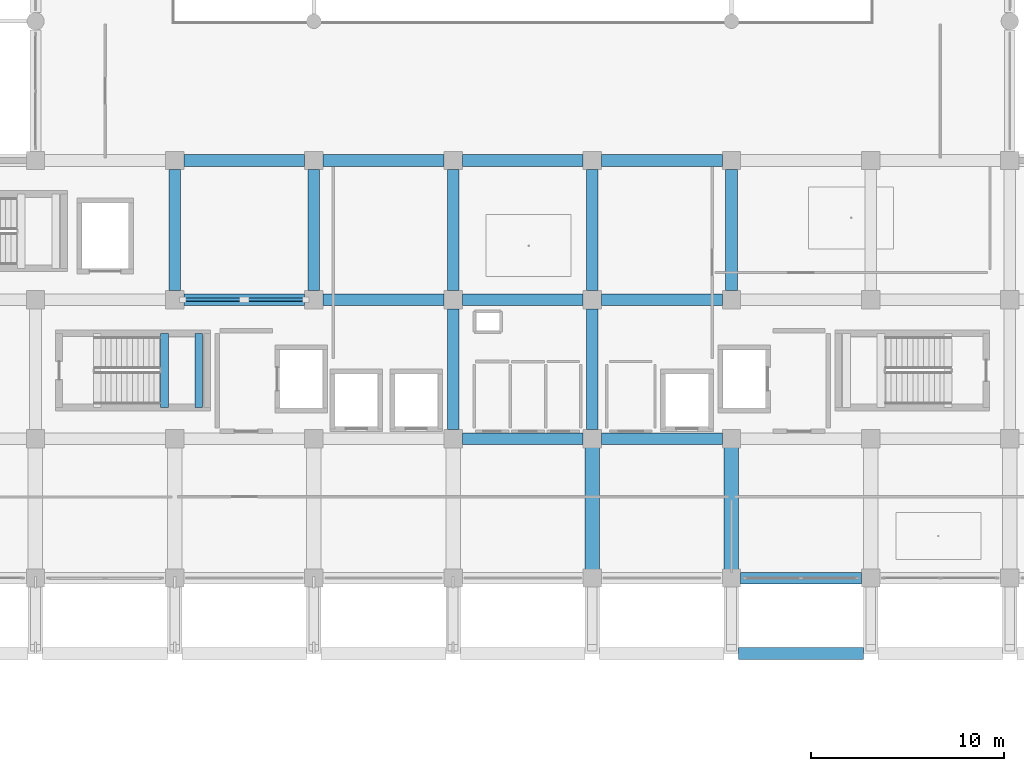
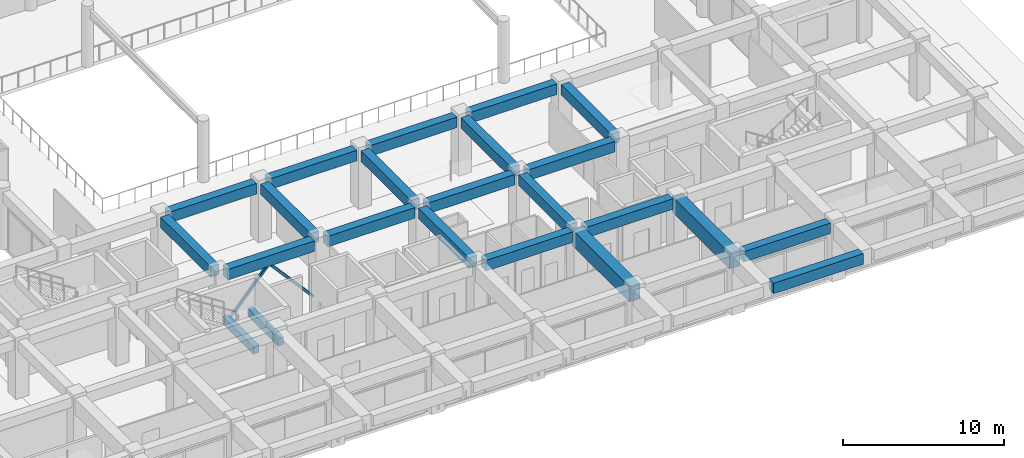
# One storey, part 14 of 54: 23 beams, 2 members.
"""IFC4 building model written with IfcOpenShell, lengths in metres."""

from ifc_helpers import new_model, si_unit, direction, frame, origin, origin_2d, place, context, subcontext, project, spatial, rectangle, hollow_rectangle, extrude, material, material_profile, profile_set, type_object, element, save


model = new_model("IFC4")

# Units and contexts
model_context = context("Model", 3, precision=1e-05, world=origin(), true_north=direction((0.0, 1.0)))
body_context = subcontext(model_context, "Body", "Model", "MODEL_VIEW")
ifc_project = project(units=[si_unit("LENGTHUNIT", "METRE"), si_unit("AREAUNIT", "SQUARE_METRE"), si_unit("VOLUMEUNIT", "CUBIC_METRE"), si_unit("PLANEANGLEUNIT", "RADIAN"), si_unit("MASSUNIT", "GRAM", prefix="KILO")], contexts=[model_context])

# Site, building, storey
site_placement = place(None, origin())
site = spatial("IfcSite", under=ifc_project, at=site_placement, CompositionType="ELEMENT")
building_placement = place(site_placement, origin())
building = spatial("IfcBuilding", under=site, at=building_placement, Name="Kazehaya Institute of Natural Sciences", CompositionType="ELEMENT")
storey_placement = place(building_placement, frame((0.0, 0.0, 10.43994140625)))
storey = spatial("IfcBuildingStorey", under=building, at=storey_placement, Name="L02", CompositionType="ELEMENT", Elevation=10.43994140625)

# Beams
ifc_material_1 = material(Name="Concrete Fc36", Category="concrete")
ifc_material_profile_1 = material_profile(ifc_material_1, rectangle(XDim=0.39990234375, YDim=0.60009765625, at=origin_2d()), Name="RC-400x600")
ifc_profile_set_1 = profile_set([ifc_material_profile_1], Name="Concrete Fc36")
beam_type_1 = type_object("IfcBeamType", Name="BM-B-400x600", PredefinedType="BEAM", material=ifc_profile_set_1)
for number, where, z_axis, x_axis, name in (
    (1, (68.469970703125, 22.820068359375, 1.880126953125), (0.0, 1.0, 0.0), (-1.0, 0.0, 0.0), "L02 ST-1 landing beam 1"),
    (2, (70.25, 22.820068359375, 1.880126953125), (0.0, 1.0, 0.0), (-1.0, 0.0, 0.0), "L02 ST-1 landing beam 2"),
):
    element("IfcBeam", number, at=place(storey_placement, frame(where, z_axis=z_axis, x_axis=x_axis)), inside=storey, type_object=beam_type_1, Name=name, PredefinedType="BEAM", context=body_context, shape_type="SweptSolid", body=[
        extrude(rectangle(XDim=0.39990234375, YDim=0.60009765625, at=origin_2d()), origin(), (0.0, 0.0, 1.0), 3.83984375),
    ])
ifc_material_profile_2 = material_profile(ifc_material_1, rectangle(XDim=0.60009765625, YDim=0.800048828125, at=origin_2d()), Name="RC-600x800")
ifc_profile_set_2 = profile_set([ifc_material_profile_2], Name="Concrete Fc36")
beam_type_2 = type_object("IfcBeamType", Name="BM-G-600x800", PredefinedType="BEAM", material=ifc_profile_set_2)
beam_placement = place(storey_placement, frame((98.175048828125, 10.10009765625, 4.010009765625), z_axis=(1.0, 0.0, 0.0), x_axis=(0.0, 1.0, 0.0)))
element("IfcBeam", 3, at=beam_placement, inside=storey, type_object=beam_type_2, Name="L02 primary X girder BMX-L02-978-101", PredefinedType="BEAM", context=body_context, shape_type="SweptSolid", body=[
    extrude(rectangle(XDim=0.60009765625, YDim=0.800048828125, at=origin_2d()), origin(), (0.0, 0.0, 1.0), 6.449951171875),
])
for number, where, z_axis, x_axis, name in (
    (4, (98.27490234375, 14.0, 4.010009765625), (1.0, 0.0, 0.0), (0.0, 1.0, 0.0), "L02 primary X girder BMX-L02-978-140"),
    (5, (83.875, 21.199951171875, 4.010009765625), (1.0, 0.0, 0.0), (0.0, 1.0, 0.0), "L02 primary X girder BMX-L02-834-212"),
    (6, (91.074951171875, 21.199951171875, 4.010009765625), (1.0, 0.0, 0.0), (0.0, 1.0, 0.0), "L02 primary X girder BMX-L02-906-212"),
    (7, (69.47509765625, 28.39990234375, 4.010009765625), (1.0, 0.0, 0.0), (0.0, 1.0, 0.0), "L02 primary X girder BMX-L02-690-284"),
    (8, (76.675048828125, 28.39990234375, 4.010009765625), (1.0, 0.0, 0.0), (0.0, 1.0, 0.0), "L02 primary X girder BMX-L02-762-284"),
    (9, (83.875, 28.39990234375, 4.010009765625), (1.0, 0.0, 0.0), (0.0, 1.0, 0.0), "L02 primary X girder BMX-L02-834-284"),
    (10, (91.074951171875, 28.39990234375, 4.010009765625), (1.0, 0.0, 0.0), (0.0, 1.0, 0.0), "L02 primary X girder BMX-L02-906-284"),
    (11, (69.47509765625, 35.60009765625, 4.010009765625), (1.0, 0.0, 0.0), (0.0, 1.0, 0.0), "L02 primary X girder BMX-L02-690-356"),
    (12, (76.675048828125, 35.60009765625, 4.010009765625), (1.0, 0.0, 0.0), (0.0, 1.0, 0.0), "L02 primary X girder BMX-L02-762-356"),
    (13, (83.875, 35.60009765625, 4.010009765625), (1.0, 0.0, 0.0), (0.0, 1.0, 0.0), "L02 primary X girder BMX-L02-834-356"),
    (14, (91.074951171875, 35.60009765625, 4.010009765625), (1.0, 0.0, 0.0), (0.0, 1.0, 0.0), "L02 primary X girder BMX-L02-906-356"),
    (15, (69.0, 28.875, 4.010009765625), (0.0, 1.0, 0.0), (-1.0, 0.0, 0.0), "L02 primary Y girder BMY-L02-690-284"),
    (16, (76.199951171875, 28.875, 4.010009765625), (0.0, 1.0, 0.0), (-1.0, 0.0, 0.0), "L02 primary Y girder BMY-L02-762-284"),
    (17, (83.39990234375, 21.675048828125, 4.010009765625), (0.0, 1.0, 0.0), (-1.0, 0.0, 0.0), "L02 primary Y girder BMY-L02-834-212"),
    (18, (83.39990234375, 28.875, 4.010009765625), (0.0, 1.0, 0.0), (-1.0, 0.0, 0.0), "L02 primary Y girder BMY-L02-834-284"),
    (19, (90.60009765625, 21.675048828125, 4.010009765625), (0.0, 1.0, 0.0), (-1.0, 0.0, 0.0), "L02 primary Y girder BMY-L02-906-212"),
    (20, (90.60009765625, 28.875, 4.010009765625), (0.0, 1.0, 0.0), (-1.0, 0.0, 0.0), "L02 primary Y girder BMY-L02-906-284"),
    (21, (97.800048828125, 28.875, 4.010009765625), (0.0, 1.0, 0.0), (-1.0, 0.0, 0.0), "L02 primary Y girder BMY-L02-978-284"),
):
    element("IfcBeam", number, at=place(storey_placement, frame(where, z_axis=z_axis, x_axis=x_axis)), inside=storey, type_object=beam_type_2, Name=name, PredefinedType="BEAM", context=body_context, shape_type="SweptSolid", body=[
        extrude(rectangle(XDim=0.60009765625, YDim=0.800048828125, at=origin_2d()), origin(), (0.0, 0.0, 1.0), 6.25),
    ])
ifc_material_2 = material(Name="Concrete Fc42", Category="concrete")
ifc_material_profile_3 = material_profile(ifc_material_2, rectangle(XDim=0.75, YDim=1.199951171875, at=origin_2d()), Name="RC-750x1200")
ifc_profile_set_3 = profile_set([ifc_material_profile_3], Name="Concrete Fc42")
beam_type_3 = type_object("IfcBeamType", Name="BM-TG-750x1200", PredefinedType="BEAM", material=ifc_profile_set_3)
for number, where, z_axis, x_axis, name in (
    (22, (90.60009765625, 14.0, 3.81005859375), (0.0, 1.0, 0.0), (-1.0, 0.0, 0.0), "L02 transfer girder back-span 1240"),
    (23, (97.800048828125, 14.0, 3.81005859375), (0.0, 1.0, 0.0), (-1.0, 0.0, 0.0), "L02 transfer girder back-span 1248"),
):
    element("IfcBeam", number, at=place(storey_placement, frame(where, z_axis=z_axis, x_axis=x_axis)), inside=storey, type_object=beam_type_3, Name=name, PredefinedType="BEAM", context=body_context, shape_type="SweptSolid", body=[
        extrude(rectangle(XDim=0.75, YDim=1.199951171875, at=origin_2d()), origin(), (0.0, 0.0, 1.0), 7.199951171875),
    ])

# Members
ifc_material_3 = material(Name="Structural steel BCR295", Category="steel")
ifc_material_profile_4 = material_profile(ifc_material_3, hollow_rectangle(XDim=0.175048828125, YDim=0.175048828125, WallThickness=0.006103515625, InnerFilletRadius=0.009033203125, OuterFilletRadius=0.014892578125, at=origin_2d()), Name="BCR-175x175x6")
ifc_profile_set_4 = profile_set([ifc_material_profile_4], Name="Structural steel BCR295")
member_type = type_object("IfcMemberType", Name="MEM-BR-BCR175", PredefinedType="BRACE", material=ifc_profile_set_4)
for number, where, z_axis, x_axis, name in (
    (24, (69.419921875, 28.39990234375, 0.010009765625), (0.662045138258, 0.0, 0.749463965051), (0.0, 1.0, 0.0), "L02 core spine seismic brace 5"),
    (25, (75.780029296875, 28.39990234375, 0.010009765625), (-0.662016588662, 0.0, 0.749489183602), (0.0, -1.0, 0.0), "L02 core spine seismic brace 6"),
):
    element("IfcMember", number, at=place(storey_placement, frame(where, z_axis=z_axis, x_axis=x_axis)), inside=storey, type_object=member_type, Name=name, PredefinedType="BRACE", context=body_context, shape_type="SweptSolid", body=[
        extrude(hollow_rectangle(XDim=0.175048828125, YDim=0.175048828125, WallThickness=0.006103515625, InnerFilletRadius=0.009033203125, OuterFilletRadius=0.014892578125, at=origin_2d()), origin(), (0.0, 0.0, 1.0), 4.803466796875),
    ])

save(model, "model.ifc")
